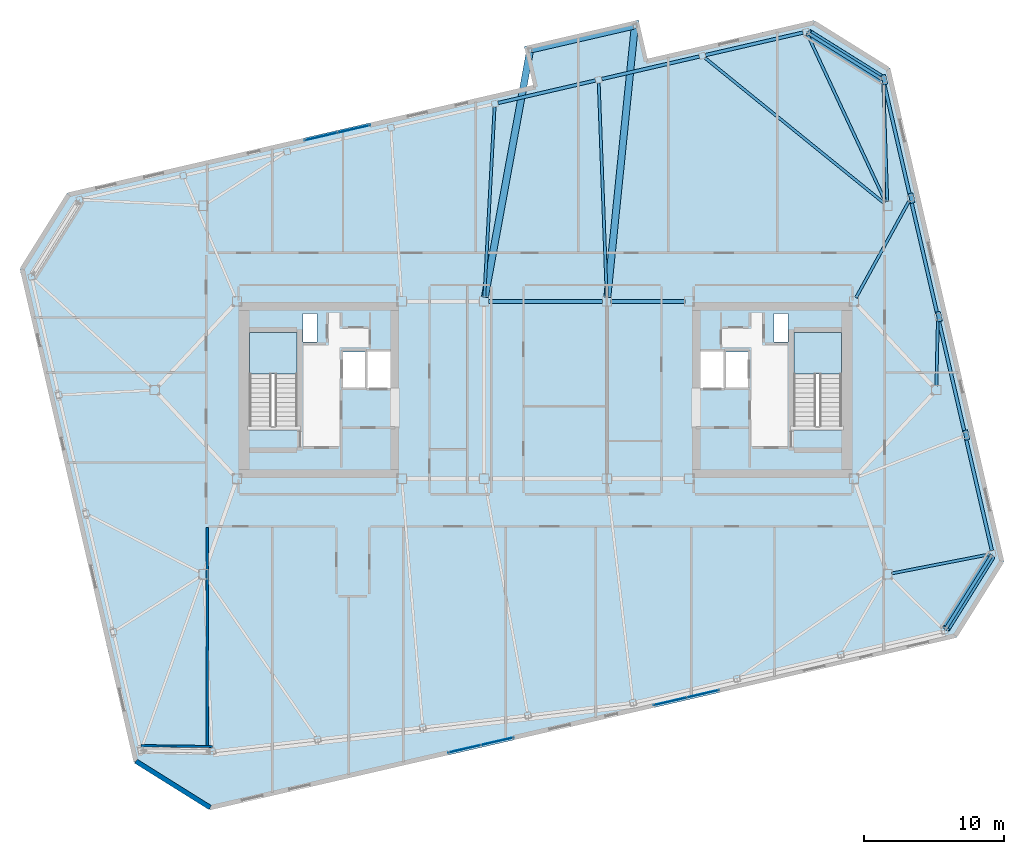
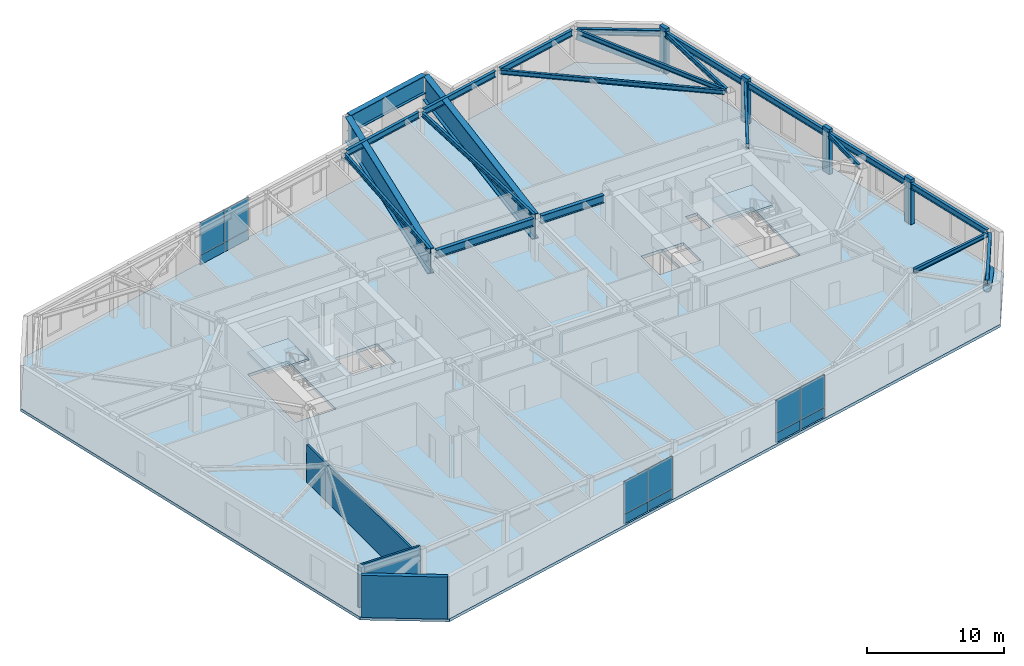
# One storey, part 14 of 22: 22 beams, 12 plates, 6 members, 3 slabs, 3 walls, 5 elements without a shape of their own.
"""IFC4 building model written with IfcOpenShell, lengths in metres."""

from ifc_helpers import new_model, si_unit, direction, frame, frame_2d, origin, origin_2d, place, context, subcontext, project, spatial, polyline, rectangle, hollow_circle, i_section, outline, extrude, material, layer, layer_set, material_profile, profile_set, type_object, element, aggregate, save


model = new_model("IFC4")

# Units and contexts
model_context = context("Model", 3, precision=1e-05, world=origin(), true_north=direction((0.0, 1.0)))
body_context = subcontext(model_context, "Body", "Model", "MODEL_VIEW")
ifc_project = project(units=[si_unit("LENGTHUNIT", "METRE"), si_unit("AREAUNIT", "SQUARE_METRE"), si_unit("VOLUMEUNIT", "CUBIC_METRE"), si_unit("PLANEANGLEUNIT", "RADIAN"), si_unit("MASSUNIT", "GRAM", prefix="KILO")], contexts=[model_context])

# Site, building, storey
site_placement = place(None, origin())
site = spatial("IfcSite", under=ifc_project, at=site_placement, CompositionType="ELEMENT")
building_placement = place(site_placement, origin())
building = spatial("IfcBuilding", under=site, at=building_placement, Name="Tavrogorsk Clinical Tower", CompositionType="ELEMENT")
storey_placement = place(building_placement, frame((0.0, 0.0, 313.0)))
storey = spatial("IfcBuildingStorey", under=building, at=storey_placement, Name="L73", CompositionType="ELEMENT", Elevation=313.0)

# Members
ifc_material_1 = material(Name="Structural steel S440", Category="steel")
ifc_material_profile_1 = material_profile(ifc_material_1, hollow_circle(Radius=0.304931640625, WallThickness=0.02490234375, at=origin_2d()), Name="CHS-610x25")
ifc_profile_set_1 = profile_set([ifc_material_profile_1], Name="Structural steel S440")
member_type_1 = type_object("IfcMemberType", Name="ExoBrace_CHS610", PredefinedType="BRACE", material=ifc_profile_set_1)
for number, where, z_axis, x_axis, name in (
    (1, (31.9228515625, -11.9091796875, 0.393310546875), (-0.485685891885, -0.777193135924, 0.40010004236), (0.848027637525, -0.529952003481, 0.0), "L73 Corner Exoskeleton Brace S8-E1"),
    (2, (24.017578125, 22.332275390625, 0.393310546875), (-0.777221605895, 0.485643868835, 0.400095748531), (-0.529905066536, -0.848056967697, 0.0), "L73 Corner Exoskeleton Brace E5-N1"),
):
    element("IfcMember", number, at=place(storey_placement, frame(where, z_axis=z_axis, x_axis=x_axis)), inside=storey, type_object=member_type_1, Name=name, PredefinedType="BRACE", context=body_context, shape_type="SweptSolid", body=[
        extrude(hollow_circle(Radius=0.304931640625, WallThickness=0.02490234375, at=origin_2d()), origin(), (0.0, 0.0, 1.0), 6.63232421875),
    ])

# Beams
ifc_material_2 = material(Name="Structural steel S355", Category="steel")
ifc_material_profile_2 = material_profile(ifc_material_2, i_section(OverallWidth=0.199951171875, OverallDepth=0.39990234375, WebThickness=0.010498046875, FlangeThickness=0.01611328125, at=origin_2d()), Name="B-400x200x10.5x16")
ifc_profile_set_2 = profile_set([ifc_material_profile_2], Name="Structural steel S355")
beam_type_1 = type_object("IfcBeamType", Name="FloorBeam_B400", PredefinedType="BEAM", material=ifc_profile_set_2)
beam_1_placement = place(storey_placement, frame((24.368896484375, 13.48095703125, 3.5400390625), z_axis=(-0.422928957087, 0.906162842571, 0.0), x_axis=(-0.906162842571, -0.422928957087, 0.0)))
element("IfcBeam", 3, at=beam_1_placement, inside=storey, type_object=beam_type_1, Name="L73 Radial Floor Beam N1", PredefinedType="BEAM", context=body_context, shape_type="SweptSolid", body=[
    extrude(i_section(OverallWidth=0.199951171875, OverallDepth=0.39990234375, WebThickness=0.010498046875, FlangeThickness=0.01611328125, at=origin_2d()), origin(), (0.0, 0.0, 1.0), 13.214111328125),
])
beam_2_placement = place(storey_placement, frame((24.25927734375, 13.395263671875, 3.5400390625), z_axis=(-0.77675399059, 0.629804126774, 0.0), x_axis=(-0.629804126774, -0.77675399059, 0.0)))
element("IfcBeam", 4, at=beam_2_placement, inside=storey, type_object=beam_type_1, Name="L73 Radial Floor Beam N2", PredefinedType="BEAM", context=body_context, shape_type="SweptSolid", body=[
    extrude(i_section(OverallWidth=0.199951171875, OverallDepth=0.39990234375, WebThickness=0.010498046875, FlangeThickness=0.01611328125, at=origin_2d()), origin(), (0.0, 0.0, 1.0), 16.524169921875),
])
beam_3_placement = place(storey_placement, frame((4.388427734375, 6.65966796875, 3.5400390625), z_axis=(-0.037472270853, 0.999297667823, 0.0), x_axis=(-0.999297667823, -0.037472270853, 0.0)))
element("IfcBeam", 5, at=beam_3_placement, inside=storey, type_object=beam_type_1, Name="L73 Radial Floor Beam N3", PredefinedType="BEAM", context=body_context, shape_type="SweptSolid", body=[
    extrude(i_section(OverallWidth=0.199951171875, OverallDepth=0.39990234375, WebThickness=0.010498046875, FlangeThickness=0.01611328125, at=origin_2d()), origin(), (0.0, 0.0, 1.0), 15.349853515625),
])
beam_4_placement = place(storey_placement, frame((-4.38330078125, 6.65966796875, 3.5400390625), z_axis=(0.053993102157, 0.998541308569, 0.0), x_axis=(-0.998541308569, 0.053993102157, 0.0)))
element("IfcBeam", 6, at=beam_4_placement, inside=storey, type_object=beam_type_1, Name="L73 Radial Floor Beam N4", PredefinedType="BEAM", context=body_context, shape_type="SweptSolid", body=[
    extrude(i_section(OverallWidth=0.199951171875, OverallDepth=0.39990234375, WebThickness=0.010498046875, FlangeThickness=0.01611328125, at=origin_2d()), origin(), (0.0, 0.0, 1.0), 13.64208984375),
])
beam_5_placement = place(storey_placement, frame((24.80419921875, -13.140625, 3.5400390625), z_axis=(0.981451198395, 0.191712141424, 0.0), x_axis=(-0.191712141424, 0.981451198395, 0.0)))
element("IfcBeam", 7, at=beam_5_placement, inside=storey, type_object=beam_type_1, Name="L73 Radial Floor Beam E1", PredefinedType="BEAM", context=body_context, shape_type="SweptSolid", body=[
    extrude(i_section(OverallWidth=0.199951171875, OverallDepth=0.39990234375, WebThickness=0.010498046875, FlangeThickness=0.01611328125, at=origin_2d()), origin(), (0.0, 0.0, 1.0), 7.13525390625),
])
beam_6_placement = place(storey_placement, frame((28.0068359375, 0.309814453125, 3.5400390625), z_axis=(0.022370062613, 0.999749758839, 0.0), x_axis=(-0.999749758839, 0.022370062613, 0.0)))
element("IfcBeam", 8, at=beam_6_placement, inside=storey, type_object=beam_type_1, Name="L73 Radial Floor Beam E3", PredefinedType="BEAM", context=body_context, shape_type="SweptSolid", body=[
    extrude(i_section(OverallWidth=0.199951171875, OverallDepth=0.39990234375, WebThickness=0.010498046875, FlangeThickness=0.01611328125, at=origin_2d()), origin(), (0.0, 0.0, 1.0), 4.703857421875),
])
beam_7_placement = place(storey_placement, frame((22.249267578125, 6.62158203125, 3.5400390625), z_axis=(0.481705874182, 0.876332956574, 0.0), x_axis=(-0.876332956574, 0.481705874182, 0.0)))
element("IfcBeam", 9, at=beam_7_placement, inside=storey, type_object=beam_type_1, Name="L73 Radial Floor Beam E4", PredefinedType="BEAM", context=body_context, shape_type="SweptSolid", body=[
    extrude(i_section(OverallWidth=0.199951171875, OverallDepth=0.39990234375, WebThickness=0.010498046875, FlangeThickness=0.01611328125, at=origin_2d()), origin(), (0.0, 0.0, 1.0), 7.881103515625),
])
beam_8_placement = place(storey_placement, frame((24.48974609375, 13.509765625, 3.5400390625), z_axis=(-0.033421222185, 0.999441354912, 0.0), x_axis=(-0.999441354912, -0.033421222185, 0.0)))
element("IfcBeam", 10, at=beam_8_placement, inside=storey, type_object=beam_type_1, Name="L73 Radial Floor Beam E5", PredefinedType="BEAM", context=body_context, shape_type="SweptSolid", body=[
    extrude(i_section(OverallWidth=0.199951171875, OverallDepth=0.39990234375, WebThickness=0.010498046875, FlangeThickness=0.01611328125, at=origin_2d()), origin(), (0.0, 0.0, 1.0), 8.48095703125),
])

# Members
ifc_material_3 = material(Name="Precast concrete B45 with limestone cladding", Category="masonry")
ifc_material_profile_3 = material_profile(ifc_material_3, rectangle(XDim=0.320068359375, YDim=0.719970703125, at=origin_2d()), Name="LIMESTONE-FIN-320x720")
ifc_profile_set_3 = profile_set([ifc_material_profile_3], Name="Precast concrete B45 with limestone cladding")
member_type_2 = type_object("IfcMemberType", Name="LimestonePleatFin_320x720", PredefinedType="USERDEFINED", material=ifc_profile_set_3)
for number, where, z_axis, x_axis, name in (
    (11, (30.154541015625, -3.223388671875, 0.0), (0.0, 0.0, 1.0), (0.974370064785, 0.224951054344, 0.0), "L73 E Pleated Stone Fin 1"),
    (12, (28.1953125, 5.263427734375, 0.0), (0.0, 0.0, 1.0), (0.974370064785, 0.224951054344, 0.0), "L73 E Pleated Stone Fin 2"),
    (13, (26.23583984375, 13.750244140625, 0.0), (0.0, 0.0, 1.0), (0.974370064785, 0.224951054344, 0.0), "L73 E Pleated Stone Fin 3"),
    (14, (24.276611328125, 22.237060546875, 0.0), (0.0, 0.0, 1.0), (0.974370064785, 0.224951054344, 0.0), "L73 E Pleated Stone Fin 4"),
):
    element("IfcMember", number, at=place(storey_placement, frame(where, z_axis=z_axis, x_axis=x_axis)), inside=storey, type_object=member_type_2, Name=name, ObjectType="FIN", PredefinedType="USERDEFINED", context=body_context, shape_type="SweptSolid", body=[
        extrude(rectangle(XDim=0.320068359375, YDim=0.719970703125, at=origin_2d()), origin(), (0.0, 0.0, 1.0), 4.0),
    ])

# Beams
ifc_material_4 = material(Name="Structural steel S390", Category="steel")
ifc_material_profile_4 = material_profile(ifc_material_4, i_section(OverallWidth=0.300048828125, OverallDepth=0.699951171875, WebThickness=0.01708984375, FlangeThickness=0.028076171875, at=origin_2d()), Name="B-700x300x17x28")
ifc_profile_set_4 = profile_set([ifc_material_profile_4], Name="Structural steel S390")
beam_type_2 = type_object("IfcBeamType", Name="PrimaryGirder_B700", PredefinedType="USERDEFINED", material=ifc_profile_set_4)
beam_9_placement = place(storey_placement, frame((-4.090087890625, 6.35009765625, 3.389892578125), z_axis=(1.0, 0.0, 0.0), x_axis=(0.0, 1.0, 0.0)))
element("IfcBeam", 15, at=beam_9_placement, inside=storey, type_object=beam_type_2, Name="L73 Primary Spine Girder MG-04", ObjectType="GIRDER", PredefinedType="USERDEFINED", context=body_context, shape_type="SweptSolid", body=[
    extrude(i_section(OverallWidth=0.300048828125, OverallDepth=0.699951171875, WebThickness=0.01708984375, FlangeThickness=0.028076171875, at=origin_2d()), origin(), (0.0, 0.0, 1.0), 8.18017578125),
])
beam_10_placement = place(storey_placement, frame((4.7099609375, 6.35009765625, 3.389892578125), z_axis=(1.0, 0.0, 0.0), x_axis=(0.0, 1.0, 0.0)))
element("IfcBeam", 16, at=beam_10_placement, inside=storey, type_object=beam_type_2, Name="L73 Primary Spine Girder MG-06", ObjectType="GIRDER", PredefinedType="USERDEFINED", context=body_context, shape_type="SweptSolid", body=[
    extrude(i_section(OverallWidth=0.300048828125, OverallDepth=0.699951171875, WebThickness=0.01708984375, FlangeThickness=0.028076171875, at=origin_2d()), origin(), (0.0, 0.0, 1.0), 5.280029296875),
])
ifc_material_5 = material(Name="Structural steel S390", Category="steel")
ifc_material_profile_5 = material_profile(ifc_material_5, i_section(OverallWidth=0.239990234375, OverallDepth=0.550048828125, WebThickness=0.013916015625, FlangeThickness=0.02197265625, at=origin_2d()), Name="B-550x240x14x22")
ifc_profile_set_5 = profile_set([ifc_material_profile_5], Name="Structural steel S390")
beam_type_3 = type_object("IfcBeamType", Name="SpandrelBeam_B550", PredefinedType="SPANDREL", material=ifc_profile_set_5)
beam_11_placement = place(storey_placement, frame((28.712158203125, -17.04736328125, 3.465087890625), z_axis=(0.529904457892, 0.848057348006, 0.0), x_axis=(-0.848057348006, 0.529904457892, 0.0)))
element("IfcBeam", 17, at=beam_11_placement, inside=storey, type_object=beam_type_3, Name="L73 Perimeter Spandrel S8-E1", PredefinedType="SPANDREL", context=body_context, shape_type="SweptSolid", body=[
    extrude(i_section(OverallWidth=0.239990234375, OverallDepth=0.550048828125, WebThickness=0.013916015625, FlangeThickness=0.02197265625, at=origin_2d()), origin(), (0.0, 0.0, 1.0), 6.039306640625),
])
for number, where, z_axis, x_axis, name in (
    (18, (31.9833984375, -11.5009765625, 3.465087890625), (-0.224950345141, 0.974370228517, 0.0), (-0.974370228517, -0.224950345141, 0.0), "L73 Perimeter Spandrel E1-E2"),
    (19, (30.024169921875, -3.01416015625, 3.465087890625), (-0.224950345141, 0.974370228517, 0.0), (-0.974370228517, -0.224950345141, 0.0), "L73 Perimeter Spandrel E2-E3"),
):
    element("IfcBeam", number, at=place(storey_placement, frame(where, z_axis=z_axis, x_axis=x_axis)), inside=storey, type_object=beam_type_3, Name=name, PredefinedType="SPANDREL", context=body_context, shape_type="SweptSolid", body=[
        extrude(i_section(OverallWidth=0.239990234375, OverallDepth=0.550048828125, WebThickness=0.013916015625, FlangeThickness=0.02197265625, at=origin_2d()), origin(), (0.0, 0.0, 1.0), 8.243896484375),
    ])
beam_12_placement = place(storey_placement, frame((28.06494140625, 5.472412109375, 3.465087890625), z_axis=(-0.224978460613, 0.974363737144, 0.0), x_axis=(-0.974363737144, -0.224978460613, 0.0)))
element("IfcBeam", 20, at=beam_12_placement, inside=storey, type_object=beam_type_3, Name="L73 Perimeter Spandrel E3-E4", PredefinedType="SPANDREL", context=body_context, shape_type="SweptSolid", body=[
    extrude(i_section(OverallWidth=0.239990234375, OverallDepth=0.550048828125, WebThickness=0.013916015625, FlangeThickness=0.02197265625, at=origin_2d()), origin(), (0.0, 0.0, 1.0), 8.244140625),
])
beam_13_placement = place(storey_placement, frame((26.10546875, 13.959228515625, 3.465087890625), z_axis=(-0.224950345141, 0.974370228517, 0.0), x_axis=(-0.974370228517, -0.224950345141, 0.0)))
element("IfcBeam", 21, at=beam_13_placement, inside=storey, type_object=beam_type_3, Name="L73 Perimeter Spandrel E4-E5", PredefinedType="SPANDREL", context=body_context, shape_type="SweptSolid", body=[
    extrude(i_section(OverallWidth=0.239990234375, OverallDepth=0.550048828125, WebThickness=0.013916015625, FlangeThickness=0.02197265625, at=origin_2d()), origin(), (0.0, 0.0, 1.0), 8.243896484375),
])
beam_14_placement = place(storey_placement, frame((24.0009765625, 22.342529296875, 3.465087890625), z_axis=(-0.848057348006, 0.529904457892, 0.0), x_axis=(-0.529904457892, -0.848057348006, 0.0)))
element("IfcBeam", 22, at=beam_14_placement, inside=storey, type_object=beam_type_3, Name="L73 Perimeter Spandrel E5-N1", PredefinedType="SPANDREL", context=body_context, shape_type="SweptSolid", body=[
    extrude(i_section(OverallWidth=0.239990234375, OverallDepth=0.550048828125, WebThickness=0.013916015625, FlangeThickness=0.02197265625, at=origin_2d()), origin(), (0.0, 0.0, 1.0), 6.039306640625),
])
beam_15_placement = place(storey_placement, frame((18.45458984375, 25.61376953125, 3.465087890625), z_axis=(-0.974375120167, -0.224929155956, 0.0), x_axis=(0.224929155956, -0.974375120167, 0.0)))
element("IfcBeam", 23, at=beam_15_placement, inside=storey, type_object=beam_type_3, Name="L73 Perimeter Spandrel N1-N2", PredefinedType="SPANDREL", context=body_context, shape_type="SweptSolid", body=[
    extrude(i_section(OverallWidth=0.239990234375, OverallDepth=0.550048828125, WebThickness=0.013916015625, FlangeThickness=0.02197265625, at=origin_2d()), origin(), (0.0, 0.0, 1.0), 7.16796875),
])
for number, where, z_axis, x_axis, name in (
    (24, (11.01611328125, 23.896484375, 3.465087890625), (-0.974369378592, -0.224954026551, 0.0), (0.224954026551, -0.974369378592, 0.0), "L73 Perimeter Spandrel N2-N3"),
    (25, (3.577392578125, 22.17919921875, 3.465087890625), (-0.974369378592, -0.224954026551, 0.0), (0.224954026551, -0.974369378592, 0.0), "L73 Perimeter Spandrel N3-N4"),
):
    element("IfcBeam", number, at=place(storey_placement, frame(where, z_axis=z_axis, x_axis=x_axis)), inside=storey, type_object=beam_type_3, Name=name, PredefinedType="SPANDREL", context=body_context, shape_type="SweptSolid", body=[
        extrude(i_section(OverallWidth=0.239990234375, OverallDepth=0.550048828125, WebThickness=0.013916015625, FlangeThickness=0.02197265625, at=origin_2d()), origin(), (0.0, 0.0, 1.0), 7.16845703125),
    ])
ifc_material_6 = material(Name="Structural steel S440", Category="steel")
ifc_material_profile_6 = material_profile(ifc_material_6, i_section(OverallWidth=0.449951171875, OverallDepth=1.60009765625, WebThickness=0.031982421875, FlangeThickness=0.050048828125, at=origin_2d()), Name="DK-1600x450x32x50")
ifc_profile_set_6 = profile_set([ifc_material_profile_6], Name="Structural steel S440")
beam_type_4 = type_object("IfcBeamType", Name="TransferGirder_DK1600", PredefinedType="USERDEFINED", material=ifc_profile_set_6)
beam_16_placement = place(storey_placement, frame((-0.985107421875, 24.389404296875, 2.93994140625), z_axis=(0.974367472721, 0.224962281513, 0.0), x_axis=(-0.224962281513, 0.974367472721, 0.0)))
element("IfcBeam", 26, at=beam_16_placement, inside=storey, type_object=beam_type_4, Name="L73 Day-Room Front Edge Beam DRB-10", ObjectType="GIRDER", PredefinedType="USERDEFINED", context=body_context, shape_type="SweptSolid", body=[
    extrude(i_section(OverallWidth=0.449951171875, OverallDepth=1.60009765625, WebThickness=0.031982421875, FlangeThickness=0.050048828125, at=origin_2d()), origin(), (0.0, 0.0, 1.0), 7.4599609375),
])
ifc_material_7 = material(Name="Structural steel S440", Category="steel")
ifc_material_profile_7 = material_profile(ifc_material_7, i_section(OverallWidth=0.5, OverallDepth=2.199951171875, WebThickness=0.035888671875, FlangeThickness=0.054931640625, at=origin_2d()), Name="DK-2200x500x36x55")
ifc_profile_set_7 = profile_set([ifc_material_profile_7], Name="Structural steel S440")
beam_type_5 = type_object("IfcBeamType", Name="TransferGirder_DK2200", PredefinedType="USERDEFINED", material=ifc_profile_set_7)
beam_17_placement = place(storey_placement, frame((-4.34423828125, 6.655029296875, 2.639892578125), z_axis=(0.180106145967, 0.983647180744, 0.0), x_axis=(-0.983647180744, 0.180106145967, 0.0)))
element("IfcBeam", 27, at=beam_17_placement, inside=storey, type_object=beam_type_5, Name="L73 Day-Room Cantilever Beam DRB-10-L", ObjectType="GIRDER", PredefinedType="USERDEFINED", context=body_context, shape_type="SweptSolid", body=[
    extrude(i_section(OverallWidth=0.5, OverallDepth=2.199951171875, WebThickness=0.035888671875, FlangeThickness=0.054931640625, at=origin_2d()), origin(), (0.0, 0.0, 1.0), 17.86181640625),
])
beam_18_placement = place(storey_placement, frame((4.43115234375, 6.658447265625, 2.639892578125), z_axis=(0.10081222061, 0.994905470975, 0.0), x_axis=(-0.994905470975, 0.10081222061, 0.0)))
element("IfcBeam", 28, at=beam_18_placement, inside=storey, type_object=beam_type_5, Name="L73 Day-Room Cantilever Beam DRB-10-R", ObjectType="GIRDER", PredefinedType="USERDEFINED", context=body_context, shape_type="SweptSolid", body=[
    extrude(i_section(OverallWidth=0.5, OverallDepth=2.199951171875, WebThickness=0.035888671875, FlangeThickness=0.054931640625, at=origin_2d()), origin(), (0.0, 0.0, 1.0), 19.395751953125),
])

# Curtain wall, plates
ifc_material_8 = material(Name="Anodised aluminium and triple IGU glazing", Category="aluminium")
ifc_layer_1 = layer(ifc_material_8, 0.179931640625)
ifc_layer_set_1 = layer_set([ifc_layer_1], Name="Anodised aluminium and triple IGU glazing")
curtain_wall_type_1 = type_object("IfcCurtainWallType", Name="CW3_SouthSlot", PredefinedType="NOTDEFINED", material=ifc_layer_set_1)
curtain_wall_1_placement = place(storey_placement, origin())
curtain_wall_1 = element("IfcCurtainWall", 29, at=curtain_wall_1_placement, inside=storey, type_object=curtain_wall_type_1, Name="L73 Curtain Wall CW-L73-S-SLOT-1", PredefinedType="NOTDEFINED")
ifc_material_9 = material(Name="Honed Podolsk limestone spandrel panel", Category="masonry")
ifc_layer_2 = layer(ifc_material_9, 0.080078125)
ifc_layer_set_2 = layer_set([ifc_layer_2], Name="Honed Podolsk limestone spandrel panel")
plate_type_1 = type_object("IfcPlateType", Name="CwSpandrelStonePanel_80", PredefinedType="CURTAIN_PANEL", material=ifc_layer_set_2)
plate_1_placement = place(storey_placement, frame((-5.810546875, -25.7099609375, 0.001953125), z_axis=(0.0, 0.0, 1.0), x_axis=(0.974370057377, 0.224951086434, 0.0)))
plate_1 = element("IfcPlate", 30, at=plate_1_placement, type_object=plate_type_1, Name="CW-L73-S-SLOT-1 Stone Spandrel Panel 1", PredefinedType="CURTAIN_PANEL", context=body_context, shape_type="SweptSolid", body=[
    extrude(rectangle(XDim=2.39208984375, YDim=0.080078125, at=origin_2d()), origin(), (0.0, 0.0, 1.0), 0.8359375),
])
plate_2_placement = place(storey_placement, frame((-3.45654296875, -25.16650390625, 0.001953125), z_axis=(0.0, 0.0, 1.0), x_axis=(0.974370057377, 0.224951086434, 0.0)))
plate_2 = element("IfcPlate", 31, at=plate_2_placement, type_object=plate_type_1, Name="CW-L73-S-SLOT-1 Stone Spandrel Panel 2", PredefinedType="CURTAIN_PANEL", context=body_context, shape_type="SweptSolid", body=[
    extrude(rectangle(XDim=2.39208984375, YDim=0.080078125, at=origin_2d()), origin(), (0.0, 0.0, 1.0), 0.8359375),
])

curtain_wall_2_placement = place(storey_placement, origin())
curtain_wall_2 = element("IfcCurtainWall", 32, at=curtain_wall_2_placement, inside=storey, type_object=curtain_wall_type_1, Name="L73 Curtain Wall CW-L73-S-SLOT-2", PredefinedType="NOTDEFINED")
plate_3_placement = place(storey_placement, frame((8.9296875, -22.306884765625, 0.001953125), z_axis=(0.0, 0.0, 1.0), x_axis=(0.974370057377, 0.224951086434, 0.0)))
plate_3 = element("IfcPlate", 33, at=plate_3_placement, type_object=plate_type_1, Name="CW-L73-S-SLOT-2 Stone Spandrel Panel 1", PredefinedType="CURTAIN_PANEL", context=body_context, shape_type="SweptSolid", body=[
    extrude(rectangle(XDim=2.39208984375, YDim=0.080078125, at=origin_2d()), origin(), (0.0, 0.0, 1.0), 0.8359375),
])
plate_4_placement = place(storey_placement, frame((11.28369140625, -21.763427734375, 0.001953125), z_axis=(0.0, 0.0, 1.0), x_axis=(0.974370057377, 0.224951086434, 0.0)))
plate_4 = element("IfcPlate", 34, at=plate_4_placement, type_object=plate_type_1, Name="CW-L73-S-SLOT-2 Stone Spandrel Panel 2", PredefinedType="CURTAIN_PANEL", context=body_context, shape_type="SweptSolid", body=[
    extrude(rectangle(XDim=2.39208984375, YDim=0.080078125, at=origin_2d()), origin(), (0.0, 0.0, 1.0), 0.8359375),
])

ifc_material_10 = material(Name="Anodised aluminium and triple IGU glazing", Category="aluminium")
ifc_layer_3 = layer(ifc_material_10, 0.179931640625)
ifc_layer_set_3 = layer_set([ifc_layer_3], Name="Anodised aluminium and triple IGU glazing")
curtain_wall_type_2 = type_object("IfcCurtainWallType", Name="CW2_NorthSlot", PredefinedType="NOTDEFINED", material=ifc_layer_set_3)
curtain_wall_3_placement = place(storey_placement, origin())
curtain_wall_3 = element("IfcCurtainWall", 35, at=curtain_wall_3_placement, inside=storey, type_object=curtain_wall_type_2, Name="L73 Curtain Wall CW-L73-N-SLOT-1", PredefinedType="NOTDEFINED")
plate_5_placement = place(storey_placement, frame((-13.729736328125, 18.70703125, 0.001953125), z_axis=(0.0, 0.0, 1.0), x_axis=(-0.974370057377, -0.224951086434, 0.0)))
plate_5 = element("IfcPlate", 36, at=plate_5_placement, type_object=plate_type_1, Name="CW-L73-N-SLOT-1 Stone Spandrel Panel 1", PredefinedType="CURTAIN_PANEL", context=body_context, shape_type="SweptSolid", body=[
    extrude(rectangle(XDim=2.39208984375, YDim=0.080078125, at=origin_2d()), origin(), (0.0, 0.0, 1.0), 0.8359375),
])
plate_6_placement = place(storey_placement, frame((-16.083740234375, 18.16357421875, 0.001953125), z_axis=(0.0, 0.0, 1.0), x_axis=(-0.974370057377, -0.224951086434, 0.0)))
plate_6 = element("IfcPlate", 37, at=plate_6_placement, type_object=plate_type_1, Name="CW-L73-N-SLOT-1 Stone Spandrel Panel 2", PredefinedType="CURTAIN_PANEL", context=body_context, shape_type="SweptSolid", body=[
    extrude(rectangle(XDim=2.39208984375, YDim=0.080078125, at=origin_2d()), origin(), (0.0, 0.0, 1.0), 0.8359375),
])

# Plate
ifc_material_11 = material(Name="Triple low-E argon insulated glass", Category="glass")
ifc_layer_4 = layer(ifc_material_11, 0.048095703125)
ifc_layer_set_4 = layer_set([ifc_layer_4], Name="Triple low-E argon insulated glass")
plate_type_2 = type_object("IfcPlateType", Name="CwVisionGlassPanel_48", PredefinedType="CURTAIN_PANEL", material=ifc_layer_set_4)
plate_7_placement = place(storey_placement, frame((-5.810546875, -25.7099609375, 0.862060546875), z_axis=(0.0, 0.0, 1.0), x_axis=(0.974370057377, 0.224951086434, 0.0)))
plate_7 = element("IfcPlate", 38, at=plate_7_placement, type_object=plate_type_2, Name="CW-L73-S-SLOT-1 Glazing Panel 1", PredefinedType="CURTAIN_PANEL", context=body_context, shape_type="SweptSolid", body=[
    extrude(rectangle(XDim=2.39208984375, YDim=0.048095703125, at=origin_2d()), origin(), (0.0, 0.0, 1.0), 2.8759765625),
])

plate_8_placement = place(storey_placement, frame((-3.45654296875, -25.16650390625, 0.862060546875), z_axis=(0.0, 0.0, 1.0), x_axis=(0.974370057377, 0.224951086434, 0.0)))
plate_8 = element("IfcPlate", 39, at=plate_8_placement, type_object=plate_type_2, Name="CW-L73-S-SLOT-1 Glazing Panel 2", PredefinedType="CURTAIN_PANEL", context=body_context, shape_type="SweptSolid", body=[
    extrude(rectangle(XDim=2.39208984375, YDim=0.048095703125, at=origin_2d()), origin(), (0.0, 0.0, 1.0), 2.8759765625),
])

aggregate(curtain_wall_1, [plate_1, plate_7, plate_2, plate_8])

plate_9_placement = place(storey_placement, frame((8.9296875, -22.306884765625, 0.862060546875), z_axis=(0.0, 0.0, 1.0), x_axis=(0.974370057377, 0.224951086434, 0.0)))
plate_9 = element("IfcPlate", 40, at=plate_9_placement, type_object=plate_type_2, Name="CW-L73-S-SLOT-2 Glazing Panel 1", PredefinedType="CURTAIN_PANEL", context=body_context, shape_type="SweptSolid", body=[
    extrude(rectangle(XDim=2.39208984375, YDim=0.048095703125, at=origin_2d()), origin(), (0.0, 0.0, 1.0), 2.8759765625),
])

plate_10_placement = place(storey_placement, frame((11.28369140625, -21.763427734375, 0.862060546875), z_axis=(0.0, 0.0, 1.0), x_axis=(0.974370057377, 0.224951086434, 0.0)))
plate_10 = element("IfcPlate", 41, at=plate_10_placement, type_object=plate_type_2, Name="CW-L73-S-SLOT-2 Glazing Panel 2", PredefinedType="CURTAIN_PANEL", context=body_context, shape_type="SweptSolid", body=[
    extrude(rectangle(XDim=2.39208984375, YDim=0.048095703125, at=origin_2d()), origin(), (0.0, 0.0, 1.0), 2.8759765625),
])

aggregate(curtain_wall_2, [plate_3, plate_9, plate_4, plate_10])

plate_11_placement = place(storey_placement, frame((-13.729736328125, 18.70703125, 0.862060546875), z_axis=(0.0, 0.0, 1.0), x_axis=(-0.974370057377, -0.224951086434, 0.0)))
plate_11 = element("IfcPlate", 42, at=plate_11_placement, type_object=plate_type_2, Name="CW-L73-N-SLOT-1 Glazing Panel 1", PredefinedType="CURTAIN_PANEL", context=body_context, shape_type="SweptSolid", body=[
    extrude(rectangle(XDim=2.39208984375, YDim=0.048095703125, at=origin_2d()), origin(), (0.0, 0.0, 1.0), 2.8759765625),
])

plate_12_placement = place(storey_placement, frame((-16.083740234375, 18.16357421875, 0.862060546875), z_axis=(0.0, 0.0, 1.0), x_axis=(-0.974370057377, -0.224951086434, 0.0)))
plate_12 = element("IfcPlate", 43, at=plate_12_placement, type_object=plate_type_2, Name="CW-L73-N-SLOT-1 Glazing Panel 2", PredefinedType="CURTAIN_PANEL", context=body_context, shape_type="SweptSolid", body=[
    extrude(rectangle(XDim=2.39208984375, YDim=0.048095703125, at=origin_2d()), origin(), (0.0, 0.0, 1.0), 2.8759765625),
])

aggregate(curtain_wall_3, [plate_5, plate_11, plate_6, plate_12])

# Stair, slab
ifc_material_12 = material(Name="Concrete B60", Category="concrete")
stair_type = type_object("IfcStairType", Name="CoreStairAssembly", PredefinedType="HALF_TURN_STAIR", material=ifc_material_12)
stair_1_placement = place(storey_placement, origin())
stair_1 = element("IfcStair", 44, at=stair_1_placement, inside=storey, type_object=stair_type, Name="L73 ST-W", PredefinedType="HALF_TURN_STAIR")
ifc_material_13 = material(Name="Concrete B60", Category="concrete")
ifc_layer_5 = layer(ifc_material_13, 0.199951171875)
ifc_layer_set_5 = layer_set([ifc_layer_5], Name="Concrete B60")
slab_type_1 = type_object("IfcSlabType", Name="StairLanding_200", PredefinedType="LANDING", material=ifc_layer_set_5)
slab_1_placement = place(storey_placement, frame((0.0, 0.0, 1.800048828125)))
slab_1 = element("IfcSlab", 45, at=slab_1_placement, type_object=slab_type_1, Name="ST-W landing 1", PredefinedType="LANDING", context=body_context, shape_type="SweptSolid", body=[
    extrude(outline(polyline([(-17.800048828125, 1.1650390625), (-17.800048828125, 4.125), (-21.199951171875, 4.125), (-21.199951171875, 1.1650390625), (-17.800048828125, 1.1650390625)])), origin(), (0.0, 0.0, 1.0), 0.199951171875),
])
aggregate(stair_1, [slab_1])

stair_2_placement = place(storey_placement, origin())
stair_2 = element("IfcStair", 46, at=stair_2_placement, inside=storey, type_object=stair_type, Name="L73 ST-E", PredefinedType="HALF_TURN_STAIR")
slab_2_placement = place(storey_placement, frame((0.0, 0.0, 1.800048828125)))
slab_2 = element("IfcSlab", 47, at=slab_2_placement, type_object=slab_type_1, Name="ST-E landing 1", PredefinedType="LANDING", context=body_context, shape_type="SweptSolid", body=[
    extrude(outline(polyline([(21.199951171875, 1.1650390625), (21.199951171875, 4.125), (17.800048828125, 4.125), (17.800048828125, 1.1650390625), (21.199951171875, 1.1650390625)])), origin(), (0.0, 0.0, 1.0), 0.199951171875),
])
aggregate(stair_2, [slab_2])

# Slab
ifc_material_14 = material(Name="Concrete B60", Category="concrete")
ifc_layer_6 = layer(ifc_material_14, 0.260009765625)
ifc_layer_set_6 = layer_set([ifc_layer_6], Name="Concrete B60")
slab_type_2 = type_object("IfcSlabType", Name="WardSlab_260", PredefinedType="FLOOR", material=ifc_layer_set_6)
slab_3_placement = place(storey_placement, frame((0.0, 0.0, -0.260009765625)))
element("IfcSlab", 48, at=slab_3_placement, inside=storey, type_object=slab_type_2, Name="L73 Structural Slab", PredefinedType="FLOOR", context=body_context, shape_type="SweptSolid", body=[
    extrude(outline(polyline([(19.19140625, 26.48193359375), (24.708251953125, 23.034423828125), (32.8515625, -12.23779296875), (29.404052734375, -17.75439453125), (-23.991455078125, -30.081787109375), (-29.50830078125, -26.634521484375), (-37.651611328125, 8.6376953125), (-34.2041015625, 14.154541015625), (-0.880615234375, 21.847900390625), (-1.521728515625, 24.624755859375), (6.662841796875, 26.514404296875), (7.303955078125, 23.737548828125), (19.19140625, 26.48193359375)]), holes=[polyline([(-17.800048828125, -2.8798828125), (-17.800048828125, 4.125), (-21.199951171875, 4.125), (-21.199951171875, -2.8798828125), (-17.800048828125, -2.8798828125)]), polyline([(21.199951171875, -2.8798828125), (21.199951171875, 4.125), (17.800048828125, 4.125), (17.800048828125, -2.8798828125), (21.199951171875, -2.8798828125)]), polyline([(-14.6201171875, 0.169921875), (-12.860107421875, 0.169921875), (-12.860107421875, 2.72998046875), (-14.6201171875, 2.72998046875), (-14.6201171875, 0.169921875)]), polyline([(-12.840087890625, 0.1201171875), (-11.080078125, 0.1201171875), (-11.080078125, 2.780029296875), (-12.840087890625, 2.780029296875), (-12.840087890625, 0.1201171875)]), polyline([(12.860107421875, 0.169921875), (14.6201171875, 0.169921875), (14.6201171875, 2.72998046875), (12.860107421875, 2.72998046875), (12.860107421875, 0.169921875)]), polyline([(11.080078125, 0.1201171875), (12.840087890625, 0.1201171875), (12.840087890625, 2.780029296875), (11.080078125, 2.780029296875), (11.080078125, 0.1201171875)]), polyline([(-17.3798828125, 3.449951171875), (-16.3798828125, 3.449951171875), (-16.3798828125, 5.5), (-17.3798828125, 5.5), (-17.3798828125, 3.449951171875)]), polyline([(16.3798828125, 3.449951171875), (17.3798828125, 3.449951171875), (17.3798828125, 5.5), (16.3798828125, 5.5), (16.3798828125, 3.449951171875)])]), origin(), (0.0, 0.0, 1.0), 0.260009765625),
])

# Walls
ifc_material_15 = material(Name="Lightweight concrete blockwork B15", Category="masonry")
ifc_layer_7 = layer(ifc_material_15, 0.159912109375)
ifc_layer_set_7 = layer_set([ifc_layer_7], Name="Lightweight concrete blockwork B15")
wall_type_1 = type_object("IfcWallType", Name="PartitionWall_160", PredefinedType="PARTITIONING", material=ifc_layer_set_7)
wall_1_placement = place(storey_placement, frame((-28.994140625, -25.47900390625, 0.0), z_axis=(0.0, 0.0, 1.0), x_axis=(0.999915052546, -0.01303409726, 0.0)))
element("IfcWall", 49, at=wall_1_placement, inside=storey, type_object=wall_type_1, Name="L73 Corner Exoskeleton Brace Furring Wall 4", PredefinedType="PARTITIONING", context=body_context, shape_type="SweptSolid", body=[
    extrude(rectangle(XDim=5.13232421875, YDim=0.159912109375, at=frame_2d((2.566162109375, 0.0))), origin(), (0.0, 0.0, 1.0), 3.739990234375),
])
wall_2_placement = place(storey_placement, frame((-24.22998046875, -25.535888671875, 0.0), z_axis=(0.0, 0.0, 1.0), x_axis=(0.0, 1.0, 0.0)))
element("IfcWall", 50, at=wall_2_placement, inside=storey, type_object=wall_type_1, Name="L73 SW Wing Closure Partition", PredefinedType="PARTITIONING", context=body_context, shape_type="SweptSolid", body=[
    extrude(rectangle(XDim=15.6708984375, YDim=0.159912109375, at=frame_2d((7.83544921875, 0.0))), origin(), (0.0, 0.0, 1.0), 3.3349609375),
])
ifc_material_16 = material(Name="Precast concrete B45 with limestone cladding", Category="masonry")
ifc_layer_8 = layer(ifc_material_16, 0.340087890625)
ifc_layer_set_8 = layer_set([ifc_layer_8], Name="Precast concrete B45 with limestone cladding")
wall_type_2 = type_object("IfcWallType", Name="PrecastLimestoneWall_340", PredefinedType="STANDARD", material=ifc_layer_set_8)
wall_3_placement = place(storey_placement, frame((-29.342529296875, -26.59619140625, 0.0), z_axis=(0.0, 0.0, 1.0), x_axis=(0.848037708252, -0.529935887993, 0.0)))
element("IfcWall", 51, at=wall_3_placement, inside=storey, type_object=wall_type_2, Name="L73 Chamfered Corner Wall 4", PredefinedType="STANDARD", context=body_context, shape_type="SweptSolid", body=[
    extrude(rectangle(XDim=6.26513671875, YDim=0.340087890625, at=frame_2d((3.132568359375, 0.0))), origin(), (0.0, 0.0, 1.0), 3.739990234375),
])

save(model, "model.ifc")
